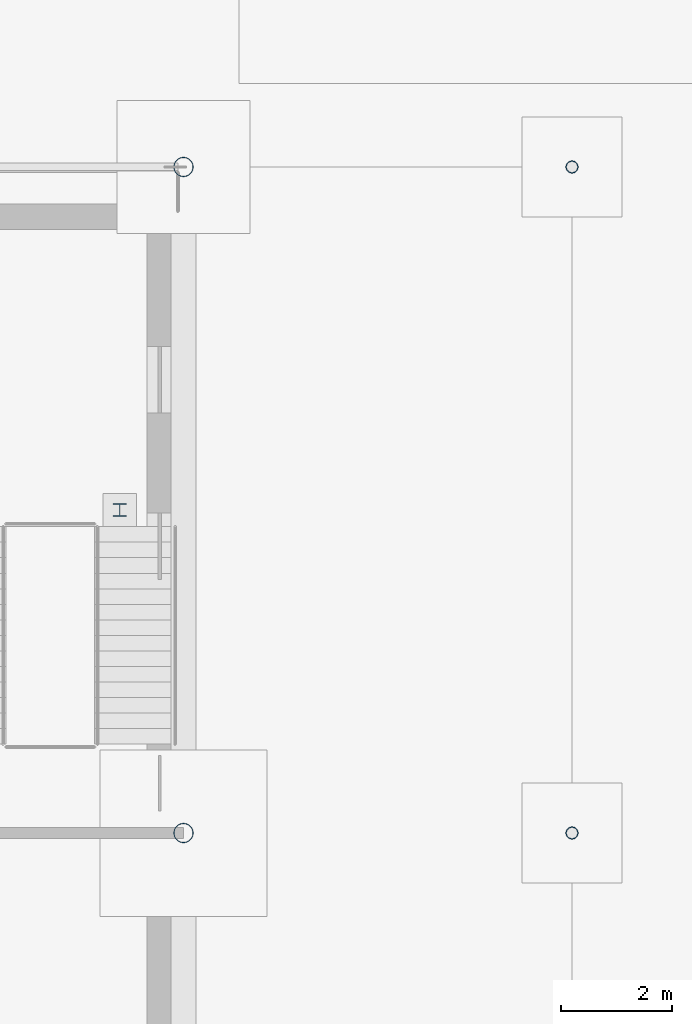
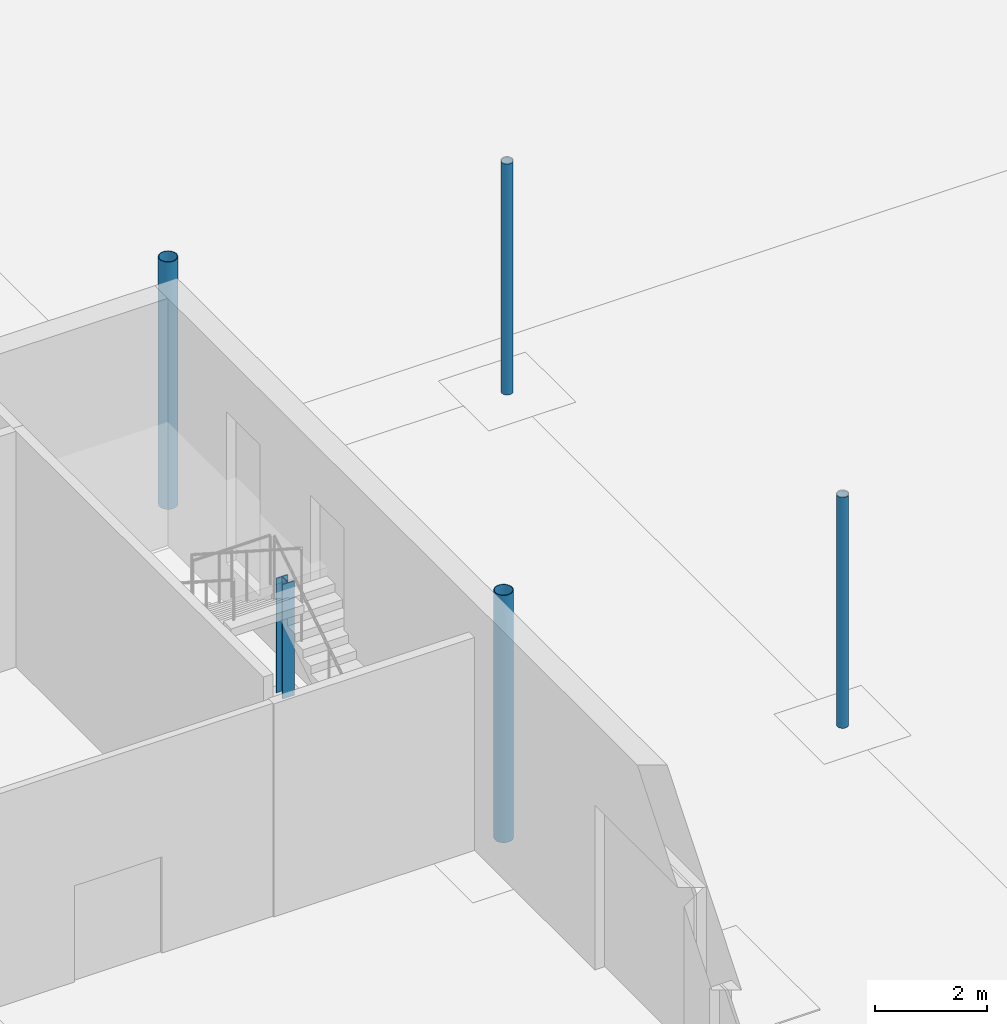
# One storey, part 42 of 132: 5 columns.
"""IFC4 building model written with IfcOpenShell, lengths in metres."""

import ifcopenshell
import ifcopenshell.guid

model = None  # the IFC model being written
_history = None  # IfcOwnerHistory: only IFC2X3 demands one
_inside = {}  # id of a spatial element -> (the spatial element, [elements in it])
_under = {}  # id of a project, library or spatial element -> (it, [spatial elements below it])
_declared = {}  # id of a project -> (the project, [libraries it declares])
_typed = {}  # id of a type object -> (the type object, [elements of that type])
_made_of = {}  # id of a material, layer set ... -> (it, [elements and type objects made of it])


def new_model(schema):
    """Start an empty IFC model of exactly this schema.

    Asked for "IFC4X3", IfcOpenShell would pick the latest addendum, in which some entities
    have other attributes; the version numbers below select the first issue.
    IFC2X3 requires an IfcOwnerHistory on every rooted entity: one is made here for all.
    """
    global model, _history
    if schema == "IFC4X3":
        model = ifcopenshell.file(schema_version=(4, 3, 0, 0))
    else:
        model = ifcopenshell.file(schema=schema)
    _inside.clear()
    _under.clear()
    _declared.clear()
    _typed.clear()
    _made_of.clear()
    _history = None
    if model.schema == "IFC2X3":
        org = make("IfcOrganization", Name="unknown")
        user = make(
            "IfcPersonAndOrganization",
            ThePerson=make("IfcPerson", FamilyName="unknown"),
            TheOrganization=org,
        )
        app = make(
            "IfcApplication",
            ApplicationDeveloper=org,
            Version="unknown",
            ApplicationFullName="unknown",
            ApplicationIdentifier="unknown",
        )
        _history = make(
            "IfcOwnerHistory",
            OwningUser=user,
            OwningApplication=app,
            ChangeAction="ADDED",
            CreationDate=0,
        )
    return model


def make(cls, **values):
    """One entity of the class cls with the attributes given. An attribute that is None is left unset."""
    return model.create_entity(
        cls, **{name: value for name, value in values.items() if value is not None}
    )


def rooted(cls, **values):
    """An entity with a GlobalId (a new one), such as an element, a storey or a relation."""
    return make(cls, GlobalId=ifcopenshell.guid.new(), OwnerHistory=_history, **values)


def si_unit(unit_type, name, prefix=None):
    """IfcSIUnit, for example si_unit("LENGTHUNIT", "METRE", prefix="MILLI")."""
    return make("IfcSIUnit", UnitType=unit_type, Prefix=prefix, Name=name)


def assignment(units):
    """IfcUnitAssignment: the units of a project."""
    return None if units is None else make("IfcUnitAssignment", Units=units)


def point(xyz):
    """IfcCartesianPoint."""
    return None if xyz is None else make("IfcCartesianPoint", Coordinates=xyz)


def direction(xyz):
    """IfcDirection."""
    return None if xyz is None else make("IfcDirection", DirectionRatios=xyz)


def frame(location, z_axis=None, x_axis=None):
    """IfcAxis2Placement3D, a coordinate frame: its origin and axes. An axis left out is left unset."""
    return make(
        "IfcAxis2Placement3D",
        Location=point(location),
        Axis=direction(z_axis),
        RefDirection=direction(x_axis),
    )


def frame_2d(location, x_axis=None):
    """IfcAxis2Placement2D, a coordinate frame in the plane: its origin and x axis."""
    return make(
        "IfcAxis2Placement2D", Location=point(location), RefDirection=direction(x_axis)
    )


def origin():
    """The frame at (0, 0, 0) with its axes left unset."""
    return frame((0.0, 0.0, 0.0))


def origin_2d():
    """The frame at (0, 0) in the plane with its x axis left unset."""
    return frame_2d((0.0, 0.0))


def place(relative_to, where):
    """IfcLocalPlacement: puts the frame where relative to a parent placement (None: the world)."""
    return make(
        "IfcLocalPlacement", PlacementRelTo=relative_to, RelativePlacement=where
    )


def context(
    kind, dimensions, precision=None, world=None, true_north=None, identifier=None
):
    """IfcGeometricRepresentationContext, for example the 3D "Model" context."""
    return make(
        "IfcGeometricRepresentationContext",
        ContextIdentifier=identifier,
        ContextType=kind,
        CoordinateSpaceDimension=dimensions,
        Precision=precision,
        WorldCoordinateSystem=world,
        TrueNorth=true_north,
    )


def subcontext(parent, identifier, kind, view, scale=None):
    """IfcGeometricRepresentationSubContext, for example "Body" below "Model"."""
    return make(
        "IfcGeometricRepresentationSubContext",
        ContextIdentifier=identifier,
        ContextType=kind,
        ParentContext=parent,
        TargetScale=scale,
        TargetView=view,
    )


def project(units=None, contexts=None):
    """IfcProject with its units and contexts."""
    return rooted(
        "IfcProject",
        Name="project",
        RepresentationContexts=contexts,
        UnitsInContext=assignment(units),
    )


def spatial(cls, under=None, at=None, **own):
    """A site, building, storey or space (cls), placed at a placement, below another one or the project."""
    s = rooted(cls, ObjectPlacement=at, **own)
    if under is not None:
        _under.setdefault(under.id(), (under, []))[1].append(s)
    return s


def profile(cls, at=None, kind="AREA", **sizes):
    """A parametric profile (cls). Its sizes go by their IFC names, for example OverallWidth=200.0."""
    return make(cls, ProfileType=kind, Position=at, **sizes)


def hollow_circle(**sizes):
    """IfcCircleHollowProfileDef."""
    return profile("IfcCircleHollowProfileDef", **sizes)


def i_section(**sizes):
    """IfcIShapeProfileDef."""
    return profile("IfcIShapeProfileDef", **sizes)


def extrude(swept, where, along, depth):
    """IfcExtrudedAreaSolid: the profile swept, set in the frame where, extruded along a direction by depth."""
    return make(
        "IfcExtrudedAreaSolid",
        SweptArea=swept,
        Position=where,
        ExtrudedDirection=direction(along),
        Depth=depth,
    )


def shape(context_of_items, identifier, shape_type, items):
    """IfcShapeRepresentation: the items that make up one representation, for example the "Body"."""
    return make(
        "IfcShapeRepresentation",
        ContextOfItems=context_of_items,
        RepresentationIdentifier=identifier,
        RepresentationType=shape_type,
        Items=items,
    )


def material(Name=None, Category=None):
    """IfcMaterial."""
    return make("IfcMaterial", Name=Name, Category=Category)


def material_profile(
    of_material, cross_section, Name=None, Category=None, Priority=None
):
    """IfcMaterialProfile: a cross section and its material."""
    return make(
        "IfcMaterialProfile",
        Name=Name,
        Material=of_material,
        Profile=cross_section,
        Priority=Priority,
        Category=Category,
    )


def profile_set(profiles, Name=None, composite=None):
    """IfcMaterialProfileSet."""
    return make(
        "IfcMaterialProfileSet",
        Name=Name,
        MaterialProfiles=profiles,
        CompositeProfile=composite,
    )


def made_of(thing, what):
    """Note that an element or type object is made of a material, layer set ...; save() writes the relation."""
    if what is not None:
        _made_of.setdefault(what.id(), (what, []))[1].append(thing)
    return thing


def type_object(cls, material=None, **own):
    """A type object (cls), such as IfcWallType, which elements share."""
    return made_of(rooted(cls, **own), material)


def element(
    cls,
    number,
    at=None,
    inside=None,
    cuts=None,
    type_object=None,
    material=None,
    context=None,
    identifier="Body",
    shape_type=None,
    held_by="IfcProductDefinitionShape",
    body=None,
    shapes=None,
    **own,
):
    """One element of the class cls, such as IfcWall. Its Tag is "e" and its number.

    at: its placement. inside: the storey or other place that contains it. cuts: it is an
    opening in that element (IfcRelVoidsElement). A single representation is given by context,
    identifier, shape_type and body (its items); several are given by shapes. held_by: the class
    of the entity that holds the representations. save() writes the other relations.
    """
    e = rooted(cls, Tag="e%d" % number, ObjectPlacement=at, **own)
    if body is not None:
        shapes = [shape(context, identifier, shape_type, body)]
    if shapes is not None:
        e.Representation = make(held_by, Representations=shapes)
    if inside is not None:
        _inside.setdefault(inside.id(), (inside, []))[1].append(e)
    if cuts is not None:
        rooted(
            "IfcRelVoidsElement", RelatingBuildingElement=cuts, RelatedOpeningElement=e
        )
    if type_object is not None:
        _typed.setdefault(type_object.id(), (type_object, []))[1].append(e)
    return made_of(e, material)


def aggregate(whole, parts):
    """IfcRelAggregates: a whole, such as a stair, and the parts it consists of."""
    return rooted("IfcRelAggregates", RelatingObject=whole, RelatedObjects=parts)


def save(model, path):
    """Write the relations noted so far, then the file.

    IfcRelAggregates (storeys below a building ...), IfcRelContainedInSpatialStructure (elements
    in a storey), IfcRelDefinesByType, IfcRelAssociatesMaterial and IfcRelDeclares: one each for
    every whole, place, type object, material and project.
    """
    for whole, parts in _under.values():
        aggregate(whole, parts)
    for where, things in _inside.values():
        rooted(
            "IfcRelContainedInSpatialStructure",
            RelatedElements=things,
            RelatingStructure=where,
        )
    for kind, things in _typed.values():
        rooted("IfcRelDefinesByType", RelatedObjects=things, RelatingType=kind)
    for what, things in _made_of.values():
        rooted("IfcRelAssociatesMaterial", RelatedObjects=things, RelatingMaterial=what)
    for by, libraries in _declared.values():
        rooted("IfcRelDeclares", RelatingContext=by, RelatedDefinitions=libraries)
    model.write(path)


model = new_model("IFC4")

# Units and contexts
model_context = context("Model", 3, precision=1e-05, world=origin(), true_north=direction((0.0, 1.0)))
body_context = subcontext(model_context, "Body", "Model", "MODEL_VIEW")
ifc_project = project(units=[si_unit("LENGTHUNIT", "METRE"), si_unit("AREAUNIT", "SQUARE_METRE"), si_unit("VOLUMEUNIT", "CUBIC_METRE"), si_unit("PLANEANGLEUNIT", "RADIAN"), si_unit("MASSUNIT", "GRAM", prefix="KILO")], contexts=[model_context])

# Site, building, storey
site_placement = place(None, origin())
site = spatial("IfcSite", under=ifc_project, at=site_placement, CompositionType="ELEMENT")
building_placement = place(site_placement, origin())
building = spatial("IfcBuilding", under=site, at=building_placement, Name="Ravi Spectrum Wholesale Market", CompositionType="ELEMENT")
storey_placement = place(building_placement, origin())
storey = spatial("IfcBuildingStorey", under=building, at=storey_placement, Name="L00", CompositionType="ELEMENT", Elevation=0.0)

# Columns
ifc_material_1 = material(Name="Steel S355", Category="steel")
ifc_material_profile_1 = material_profile(ifc_material_1, hollow_circle(Radius=0.109619140625, WallThickness=0.008056640625, at=origin_2d()))
ifc_profile_set_1 = profile_set([ifc_material_profile_1], Name="Steel S355")
column_type_1 = type_object("IfcColumnType", Name="CHS 219.1x8 column", PredefinedType="COLUMN", material=ifc_profile_set_1)
for number, where, z_axis, x_axis, name in (
    (1, (205.0, 174.0, 0.0), (0.0, 0.0, 1.0), (1.0, 0.0, 0.0), "H3-COL-L00-018"),
    (2, (205.0, 186.0, 0.0), (0.0, 0.0, 1.0), (1.0, 0.0, 0.0), "H3-COL-L00-019"),
):
    element("IfcColumn", number, at=place(storey_placement, frame(where, z_axis=z_axis, x_axis=x_axis)), inside=storey, type_object=column_type_1, Name=name, PredefinedType="COLUMN", context=body_context, shape_type="SweptSolid", body=[
        extrude(hollow_circle(Radius=0.109619140625, WallThickness=0.008056640625, at=origin_2d()), origin(), (0.0, 0.0, 1.0), 5.0400390625),
    ])
ifc_material_2 = material(Name="Steel S355", Category="steel")
ifc_material_profile_2 = material_profile(ifc_material_2, hollow_circle(Radius=0.177734375, WallThickness=0.012451171875, at=origin_2d()))
ifc_profile_set_2 = profile_set([ifc_material_profile_2], Name="Steel S355")
column_type_2 = type_object("IfcColumnType", Name="CHS 355.6x12.5 column", PredefinedType="COLUMN", material=ifc_profile_set_2)
for number, where, z_axis, x_axis, name in (
    (3, (198.0, 174.0, 0.0), (0.0, 0.0, 1.0), (1.0, 0.0, 0.0), "H3-COL-L00-009"),
    (4, (198.0, 186.0, 0.0), (0.0, 0.0, 1.0), (1.0, 0.0, 0.0), "H3-COL-L00-010"),
):
    element("IfcColumn", number, at=place(storey_placement, frame(where, z_axis=z_axis, x_axis=x_axis)), inside=storey, type_object=column_type_2, Name=name, PredefinedType="COLUMN", context=body_context, shape_type="SweptSolid", body=[
        extrude(hollow_circle(Radius=0.177734375, WallThickness=0.012451171875, at=origin_2d()), origin(), (0.0, 0.0, 1.0), 5.39990234375),
    ])
ifc_material_3 = material(Name="Steel S355", Category="steel")
ifc_material_profile_3 = material_profile(ifc_material_3, i_section(OverallWidth=0.239990234375, OverallDepth=0.239990234375, WebThickness=0.010009765625, FlangeThickness=0.01708984375, at=origin_2d()))
ifc_profile_set_3 = profile_set([ifc_material_profile_3], Name="Steel S355")
column_type_3 = type_object("IfcColumnType", Name="HEB 240 column", PredefinedType="COLUMN", material=ifc_profile_set_3)
column_placement = place(storey_placement, frame((196.85009765625, 179.820068359375, 0.0), z_axis=(0.0, 0.0, 1.0), x_axis=(1.0, 0.0, 0.0)))
element("IfcColumn", 5, at=column_placement, inside=storey, type_object=column_type_3, Name="H3-COL-L00-022", PredefinedType="COLUMN", context=body_context, shape_type="SweptSolid", body=[
    extrude(i_section(OverallWidth=0.239990234375, OverallDepth=0.239990234375, WebThickness=0.010009765625, FlangeThickness=0.01708984375, at=origin_2d()), origin(), (0.0, 0.0, 1.0), 2.5),
])

save(model, "model.ifc")
